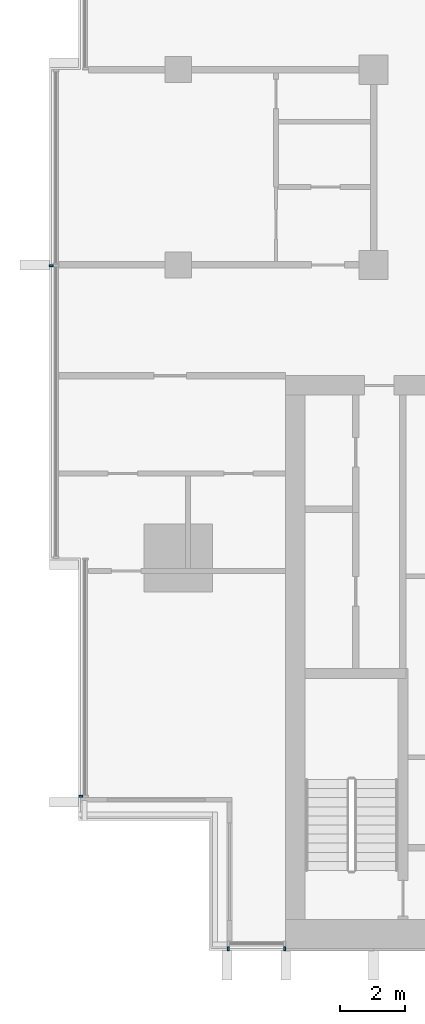
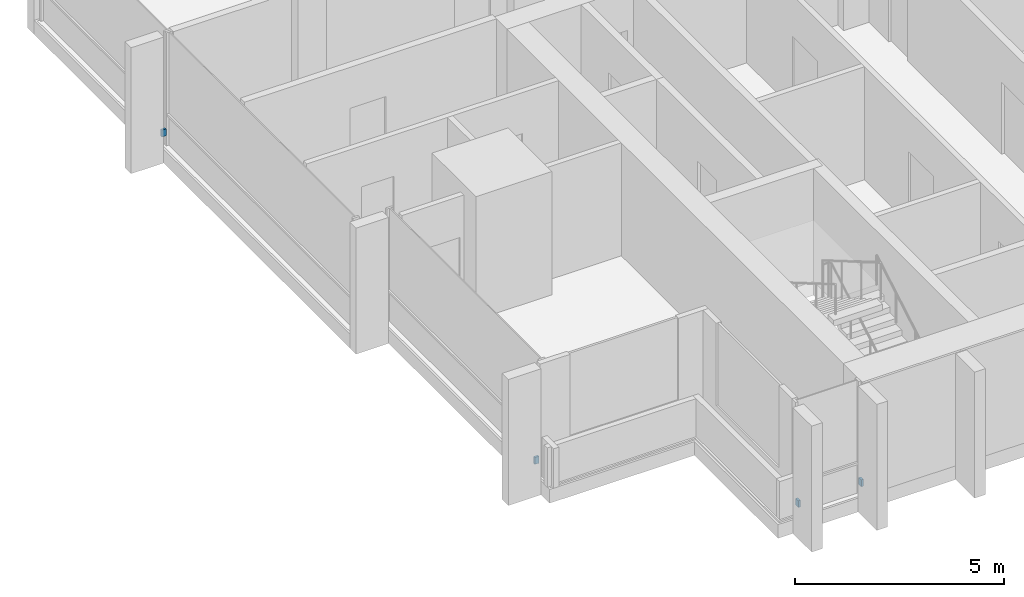
# One storey, part 12 of 17: 4 discrete accessories.
"""IFC4 building model written with IfcOpenShell, lengths in metres."""

from ifc_helpers import new_model, si_unit, direction, frame, origin, origin_2d, place, context, subcontext, project, spatial, rectangle, extrude, material, type_object, element, save


model = new_model("IFC4")

# Units and contexts
model_context = context("Model", 3, precision=1e-05, world=origin(), true_north=direction((0.0, 1.0)))
body_context = subcontext(model_context, "Body", "Model", "MODEL_VIEW")
ifc_project = project(units=[si_unit("LENGTHUNIT", "METRE"), si_unit("AREAUNIT", "SQUARE_METRE"), si_unit("VOLUMEUNIT", "CUBIC_METRE"), si_unit("PLANEANGLEUNIT", "RADIAN"), si_unit("MASSUNIT", "GRAM", prefix="KILO")], contexts=[model_context])

# Site, building, storey
site_placement = place(None, origin())
site = spatial("IfcSite", under=ifc_project, at=site_placement, CompositionType="ELEMENT")
building_placement = place(site_placement, origin())
building = spatial("IfcBuilding", under=site, at=building_placement, Name="Finial Court Residences", CompositionType="ELEMENT")
storey_placement = place(building_placement, frame((0.0, 0.0, 205.10009765625)))
storey = spatial("IfcBuildingStorey", under=building, at=storey_placement, Name="L51", CompositionType="ELEMENT", Elevation=205.10009765625)

# Discrete accessories
ifc_material = material(Name="Stainless steel 316", Category="steel")
discrete_accessory_type = type_object("IfcDiscreteAccessoryType", Name="Fin bracket, stainless steel 60 x 122 x 200", PredefinedType="BRACKET", material=ifc_material)
for number, where, z_axis, x_axis, name in (
    (1, (-14.969970703125, -25.498779296875, 0.2998046875), (0.0, 0.0, 1.0), (1.0, 0.0, 0.0), "E-L51-FIN-S13-BRK"),
    (2, (-13.22998046875, -25.498779296875, 0.2998046875), (0.0, 0.0, 1.0), (1.0, 0.0, 0.0), "E-L51-FIN-S14-BRK"),
):
    element("IfcDiscreteAccessory", number, at=place(storey_placement, frame(where, z_axis=z_axis, x_axis=x_axis)), inside=storey, type_object=discrete_accessory_type, Name=name, PredefinedType="BRACKET", context=body_context, shape_type="SweptSolid", body=[
        extrude(rectangle(XDim=0.06005859375, YDim=0.12255859375, at=origin_2d()), origin(), (0.0, 0.0, 1.0), 0.199951171875),
    ])
for number, where, z_axis, x_axis, name in (
    (3, (-19.498779296875, -20.820068359375, 0.2998046875), (0.0, 0.0, 1.0), (1.0, 0.0, 0.0), "E-L51-FIN-W21-BRK"),
    (4, (-20.398681640625, -4.530029296875, 0.2998046875), (0.0, 0.0, 1.0), (1.0, 0.0, 0.0), "E-L51-FIN-W23-BRK"),
):
    element("IfcDiscreteAccessory", number, at=place(storey_placement, frame(where, z_axis=z_axis, x_axis=x_axis)), inside=storey, type_object=discrete_accessory_type, Name=name, PredefinedType="BRACKET", context=body_context, shape_type="SweptSolid", body=[
        extrude(rectangle(XDim=0.12255859375, YDim=0.06005859375, at=origin_2d()), origin(), (0.0, 0.0, 1.0), 0.199951171875),
    ])

save(model, "model.ifc")
